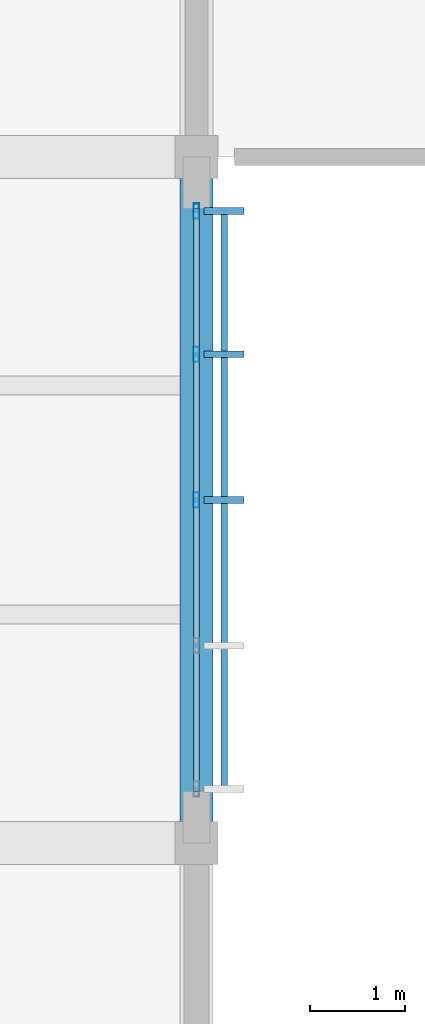
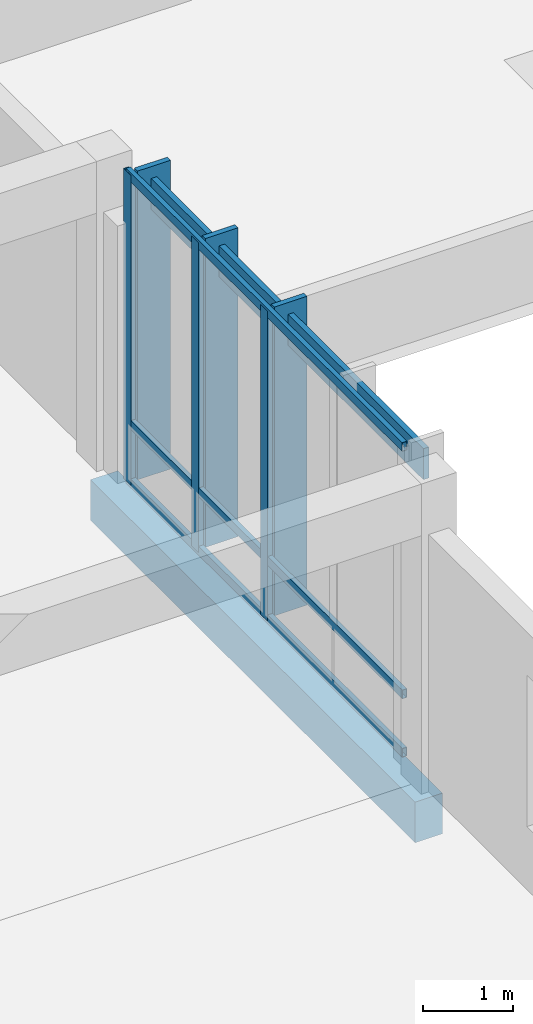
# One storey, part 31 of 107: 10 members, 1 beam, 1 element without a shape of its own.
"""IFC4 building model written with IfcOpenShell, lengths in metres."""

from ifc_helpers import new_model, si_unit, direction, frame, origin, origin_2d, place, context, subcontext, project, spatial, rectangle, hollow_rectangle, extrude, material, material_profile, profile_set, type_object, element, aggregate, save


model = new_model("IFC4")

# Units and contexts
model_context = context("Model", 3, precision=1e-05, world=origin(), true_north=direction((0.0, 1.0)))
body_context = subcontext(model_context, "Body", "Model", "MODEL_VIEW")
ifc_project = project(units=[si_unit("LENGTHUNIT", "METRE"), si_unit("AREAUNIT", "SQUARE_METRE"), si_unit("VOLUMEUNIT", "CUBIC_METRE"), si_unit("PLANEANGLEUNIT", "RADIAN"), si_unit("MASSUNIT", "GRAM", prefix="KILO")], contexts=[model_context])

# Site, building, storey
site_placement = place(None, origin())
site = spatial("IfcSite", under=ifc_project, at=site_placement, CompositionType="ELEMENT")
building_placement = place(site_placement, origin())
building = spatial("IfcBuilding", under=site, at=building_placement, Name="Chiffa Square Polytechnic", CompositionType="ELEMENT")
storey_placement = place(building_placement, frame((0.0, 0.0, 13.800048828125)))
storey = spatial("IfcBuildingStorey", under=building, at=storey_placement, Name="L03", CompositionType="ELEMENT", Elevation=13.800048828125)

# Beam
ifc_material_1 = material(Name="Concrete C35/45", Category="concrete")
ifc_material_profile_1 = material_profile(ifc_material_1, rectangle(XDim=0.35009765625, YDim=0.550048828125, at=origin_2d()), Name="RC 350x550")
ifc_profile_set_1 = profile_set([ifc_material_profile_1], Name="Concrete C35/45")
beam_type = type_object("IfcBeamType", Name="BM-RC-350X550", PredefinedType="BEAM", material=ifc_profile_set_1)
beam_placement = place(storey_placement, frame((32.0, 79.800048828125, -0.53515625), z_axis=(0.0, 1.0, 0.0), x_axis=(-1.0, 0.0, 0.0)))
element("IfcBeam", 1, at=beam_placement, inside=storey, type_object=beam_type, Name="Primary floor girder BM-V6-L03-Y-0320-0798", PredefinedType="BEAM", context=body_context, shape_type="SweptSolid", body=[
    extrude(rectangle(XDim=0.35009765625, YDim=0.550048828125, at=origin_2d()), origin(), (0.0, 0.0, 1.0), 7.199951171875),
])

# Curtain wall, members
ifc_material_2 = material(Name="Aluminium EN AW-6060 T66 and glulam shading", Category="wood")
curtain_wall_type = type_object("IfcCurtainWallType", Name="CW-VERT-450X440", PredefinedType="USERDEFINED", material=ifc_material_2)
curtain_wall_placement = place(storey_placement, origin())
curtain_wall = element("IfcCurtainWall", 2, at=curtain_wall_placement, inside=storey, type_object=curtain_wall_type, Name="Curtain wall CW-V6-L03-272", ObjectType="CURTAIN WALL", PredefinedType="USERDEFINED")
ifc_material_3 = material(Name="Aluminium EN AW-6060 T66", Category="aluminium")
ifc_material_profile_2 = material_profile(ifc_material_3, hollow_rectangle(XDim=0.06005859375, YDim=0.159912109375, WallThickness=0.00390625, at=origin_2d()), Name="ALU 60x160x4")
ifc_profile_set_2 = profile_set([ifc_material_profile_2], Name="Aluminium EN AW-6060 T66")
member_type_1 = type_object("IfcMemberType", Name="CWM-ALU-65X150", PredefinedType="MULLION", material=ifc_profile_set_2)
member_1_placement = place(storey_placement, frame((32.0, 83.39990234375, 0.0), z_axis=(0.0, 0.0, 1.0), x_axis=(1.0, 0.0, 0.0)))
member_1 = element("IfcMember", 3, at=member_1_placement, type_object=member_type_1, Name="Curtain wall mullion CW-V6-L03-272-M02", PredefinedType="MULLION", context=body_context, shape_type="SweptSolid", body=[
    extrude(hollow_rectangle(XDim=0.06005859375, YDim=0.159912109375, WallThickness=0.00390625, at=origin_2d()), origin(), (0.0, 0.0, 1.0), 4.199951171875),
])
member_2_placement = place(storey_placement, frame((32.0, 84.929931640625, 0.0), z_axis=(0.0, 0.0, 1.0), x_axis=(1.0, 0.0, 0.0)))
member_2 = element("IfcMember", 4, at=member_2_placement, type_object=member_type_1, Name="Curtain wall mullion CW-V6-L03-272-M03", PredefinedType="MULLION", context=body_context, shape_type="SweptSolid", body=[
    extrude(hollow_rectangle(XDim=0.06005859375, YDim=0.159912109375, WallThickness=0.00390625, at=origin_2d()), origin(), (0.0, 0.0, 1.0), 4.199951171875),
])
member_3_placement = place(storey_placement, frame((32.0, 86.43505859375, 0.0), z_axis=(0.0, 0.0, 1.0), x_axis=(1.0, 0.0, 0.0)))
member_3 = element("IfcMember", 5, at=member_3_placement, type_object=member_type_1, Name="Curtain wall mullion CW-V6-L03-272-M04", PredefinedType="MULLION", context=body_context, shape_type="SweptSolid", body=[
    extrude(hollow_rectangle(XDim=0.06005859375, YDim=0.159912109375, WallThickness=0.00390625, at=origin_2d()), origin(), (0.0, 0.0, 1.0), 4.199951171875),
])
ifc_material_4 = material(Name="Glulam GL28h", Category="wood")
ifc_material_profile_3 = material_profile(ifc_material_4, rectangle(XDim=0.070068359375, YDim=0.419921875, at=origin_2d()), Name="GL28h 70x420")
ifc_profile_set_3 = profile_set([ifc_material_profile_3], Name="Glulam GL28h")
member_type_2 = type_object("IfcMemberType", Name="CWM-GL-70X420", PredefinedType="MULLION", material=ifc_profile_set_3)
member_4_placement = place(storey_placement, frame((32.2919921875, 83.39990234375, 0.010009765625), z_axis=(0.0, 0.0, 1.0), x_axis=(0.0, 1.0, 0.0)))
member_4 = element("IfcMember", 6, at=member_4_placement, type_object=member_type_2, Name="Exterior glulam solar fin CW-V6-L03-272-FN02", PredefinedType="MULLION", context=body_context, shape_type="SweptSolid", body=[
    extrude(rectangle(XDim=0.070068359375, YDim=0.419921875, at=origin_2d()), origin(), (0.0, 0.0, 1.0), 4.179931640625),
])
member_5_placement = place(storey_placement, frame((32.2919921875, 84.929931640625, 0.010009765625), z_axis=(0.0, 0.0, 1.0), x_axis=(0.0, 1.0, 0.0)))
member_5 = element("IfcMember", 7, at=member_5_placement, type_object=member_type_2, Name="Exterior glulam solar fin CW-V6-L03-272-FN03", PredefinedType="MULLION", context=body_context, shape_type="SweptSolid", body=[
    extrude(rectangle(XDim=0.070068359375, YDim=0.419921875, at=origin_2d()), origin(), (0.0, 0.0, 1.0), 4.179931640625),
])
member_6_placement = place(storey_placement, frame((32.2919921875, 86.43505859375, 0.010009765625), z_axis=(0.0, 0.0, 1.0), x_axis=(0.0, 1.0, 0.0)))
member_6 = element("IfcMember", 8, at=member_6_placement, type_object=member_type_2, Name="Exterior glulam solar fin CW-V6-L03-272-FN04", PredefinedType="MULLION", context=body_context, shape_type="SweptSolid", body=[
    extrude(rectangle(XDim=0.070068359375, YDim=0.419921875, at=origin_2d()), origin(), (0.0, 0.0, 1.0), 4.179931640625),
])
ifc_material_profile_4 = material_profile(ifc_material_3, hollow_rectangle(XDim=0.06005859375, YDim=0.1201171875, WallThickness=0.00390625, at=origin_2d()), Name="ALU 60x120x4")
ifc_profile_set_4 = profile_set([ifc_material_profile_4], Name="Aluminium EN AW-6060 T66")
member_type_3 = type_object("IfcMemberType", Name="CWT-ALU-65X120", PredefinedType="USERDEFINED", material=ifc_profile_set_4)
member_7_placement = place(storey_placement, frame((32.0, 80.337890625, 0.030029296875), z_axis=(0.0, 1.0, 0.0), x_axis=(-1.0, 0.0, 0.0)))
member_7 = element("IfcMember", 9, at=member_7_placement, type_object=member_type_3, Name="Curtain wall transom CW-V6-L03-272-T01", ObjectType="TRANSOM", PredefinedType="USERDEFINED", context=body_context, shape_type="SweptSolid", body=[
    extrude(hollow_rectangle(XDim=0.06005859375, YDim=0.1201171875, WallThickness=0.00390625, at=origin_2d()), origin(), (0.0, 0.0, 1.0), 6.1240234375),
])
member_8_placement = place(storey_placement, frame((32.0, 80.337890625, 0.820068359375), z_axis=(0.0, 1.0, 0.0), x_axis=(-1.0, 0.0, 0.0)))
member_8 = element("IfcMember", 10, at=member_8_placement, type_object=member_type_3, Name="Curtain wall transom CW-V6-L03-272-T02", ObjectType="TRANSOM", PredefinedType="USERDEFINED", context=body_context, shape_type="SweptSolid", body=[
    extrude(hollow_rectangle(XDim=0.06005859375, YDim=0.1201171875, WallThickness=0.00390625, at=origin_2d()), origin(), (0.0, 0.0, 1.0), 6.1240234375),
])
member_9_placement = place(storey_placement, frame((32.0, 80.337890625, 4.169921875), z_axis=(0.0, 1.0, 0.0), x_axis=(-1.0, 0.0, 0.0)))
member_9 = element("IfcMember", 11, at=member_9_placement, type_object=member_type_3, Name="Curtain wall transom CW-V6-L03-272-T03", ObjectType="TRANSOM", PredefinedType="USERDEFINED", context=body_context, shape_type="SweptSolid", body=[
    extrude(hollow_rectangle(XDim=0.06005859375, YDim=0.1201171875, WallThickness=0.00390625, at=origin_2d()), origin(), (0.0, 0.0, 1.0), 6.1240234375),
])
ifc_material_profile_5 = material_profile(ifc_material_4, rectangle(XDim=0.070068359375, YDim=0.419921875, at=origin_2d()), Name="GL28h 70x420")
ifc_profile_set_5 = profile_set([ifc_material_profile_5], Name="Glulam GL28h")
member_type_4 = type_object("IfcMemberType", Name="CWT-GL-70X420", PredefinedType="USERDEFINED", material=ifc_profile_set_5)
member_10_placement = place(storey_placement, frame((32.2919921875, 80.364990234375, 3.820068359375), z_axis=(0.0, 1.0, 0.0), x_axis=(-1.0, 0.0, 0.0)))
member_10 = element("IfcMember", 12, at=member_10_placement, type_object=member_type_4, Name="Exterior glulam brise-soleil CW-V6-L03-272-BS01", ObjectType="TRANSOM", PredefinedType="USERDEFINED", context=body_context, shape_type="SweptSolid", body=[
    extrude(rectangle(XDim=0.070068359375, YDim=0.419921875, at=origin_2d()), origin(), (0.0, 0.0, 1.0), 6.070068359375),
])
aggregate(curtain_wall, [member_1, member_4, member_2, member_5, member_3, member_6, member_7, member_8, member_9, member_10])

save(model, "model.ifc")
